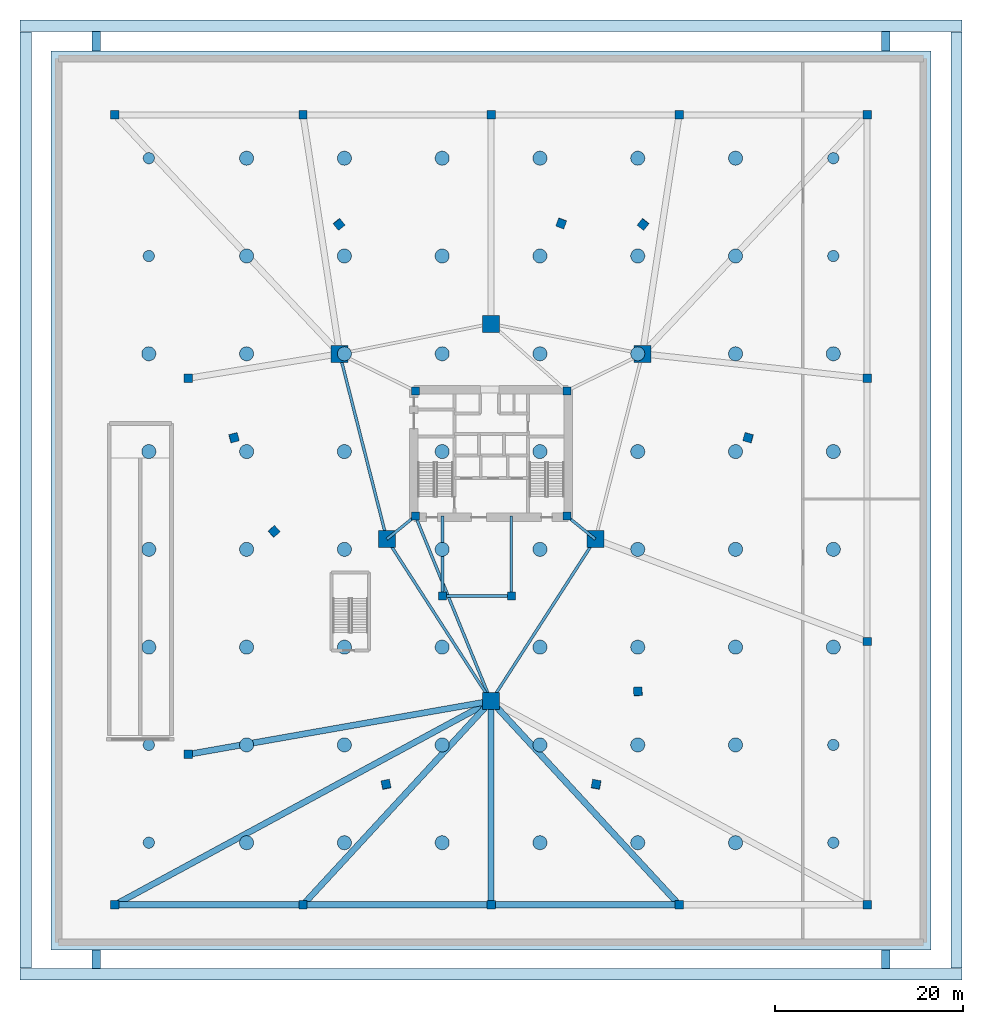
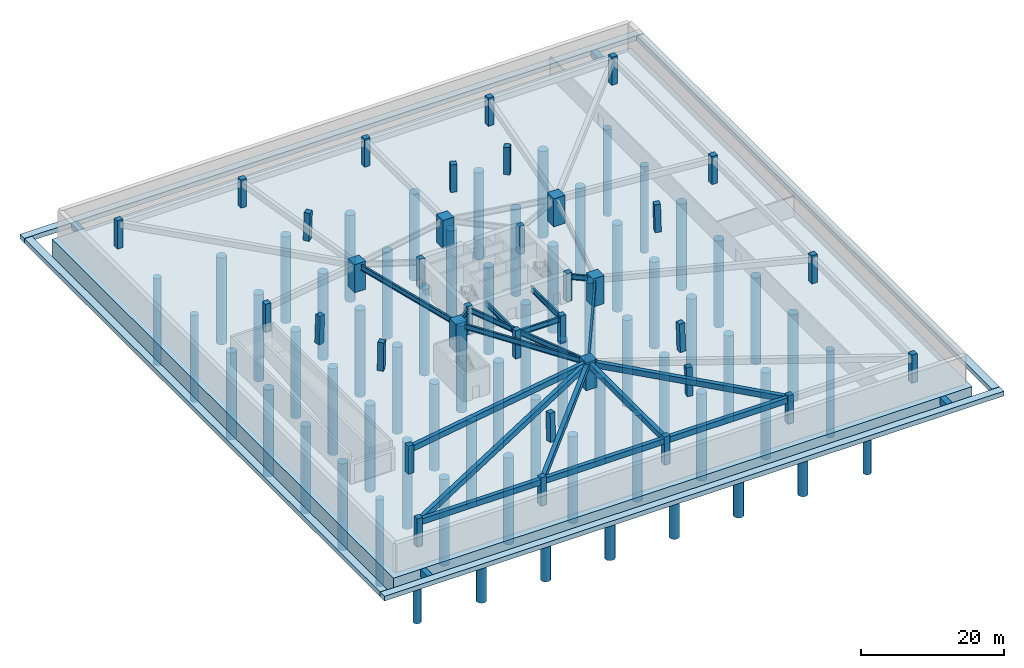
# One storey, part 1 of 5: 64 piles, 35 columns, 17 beams, 9 footings.
"""IFC4 building model written with IfcOpenShell, lengths in metres."""

from ifc_helpers import new_model, si_unit, direction, frame, origin, origin_2d, place, context, subcontext, project, spatial, polyline, rectangle, circle, i_section, outline, extrude, material, layer, layer_set, material_profile, profile_set, type_object, element, save


model = new_model("IFC4")

# Units and contexts
model_context = context("Model", 3, precision=1e-05, world=origin(), true_north=direction((0.0, 1.0)))
body_context = subcontext(model_context, "Body", "Model", "MODEL_VIEW")
ifc_project = project(units=[si_unit("LENGTHUNIT", "METRE"), si_unit("AREAUNIT", "SQUARE_METRE"), si_unit("VOLUMEUNIT", "CUBIC_METRE"), si_unit("PLANEANGLEUNIT", "RADIAN"), si_unit("MASSUNIT", "GRAM", prefix="KILO")], contexts=[model_context])

# Site, building, storey
site_placement = place(None, origin())
site = spatial("IfcSite", under=ifc_project, at=site_placement, CompositionType="ELEMENT")
building_placement = place(site_placement, origin())
building = spatial("IfcBuilding", under=site, at=building_placement, Name="Talyreon Biosciences Tower", CompositionType="ELEMENT")
storey_placement = place(building_placement, frame((0.0, 0.0, -9.60009765625)))
storey = spatial("IfcBuildingStorey", under=building, at=storey_placement, Name="B2", CompositionType="ELEMENT", Elevation=-9.60009765625)

# Piles
ifc_material_1 = material(Name="Concrete C50/60", Category="concrete")
ifc_material_profile_1 = material_profile(ifc_material_1, circle(Radius=0.60009765625, at=origin_2d()), Name="PILE D1200")
ifc_profile_set_1 = profile_set([ifc_material_profile_1], Name="Concrete C50/60")
pile_type_1 = type_object("IfcPileType", Name="BoredPile_1200", PredefinedType="BORED", material=ifc_profile_set_1)
for number, where, z_axis, x_axis, name in (
    (1, (29.60009765625, 26.60009765625, -3.5498046875), (0.0, 0.0, -1.0), (1.0, 0.0, 0.0), "Rock-socketed bored pile 01"),
    (2, (29.60009765625, 37.0, -3.5498046875), (0.0, 0.0, -1.0), (1.0, 0.0, 0.0), "Rock-socketed bored pile 02"),
    (3, (29.60009765625, 89.0, -3.5498046875), (0.0, 0.0, -1.0), (1.0, 0.0, 0.0), "Rock-socketed bored pile 07"),
    (4, (29.60009765625, 99.39990234375, -3.5498046875), (0.0, 0.0, -1.0), (1.0, 0.0, 0.0), "Rock-socketed bored pile 08"),
    (5, (102.39990234375, 26.60009765625, -3.5498046875), (0.0, 0.0, -1.0), (1.0, 0.0, 0.0), "Rock-socketed bored pile 57"),
    (6, (102.39990234375, 37.0, -3.5498046875), (0.0, 0.0, -1.0), (1.0, 0.0, 0.0), "Rock-socketed bored pile 58"),
    (7, (102.39990234375, 89.0, -3.5498046875), (0.0, 0.0, -1.0), (1.0, 0.0, 0.0), "Rock-socketed bored pile 63"),
    (8, (102.39990234375, 99.39990234375, -3.5498046875), (0.0, 0.0, -1.0), (1.0, 0.0, 0.0), "Rock-socketed bored pile 64"),
):
    element("IfcPile", number, at=place(storey_placement, frame(where, z_axis=z_axis, x_axis=x_axis)), inside=storey, type_object=pile_type_1, Name=name, PredefinedType="BORED", context=body_context, shape_type="SweptSolid", body=[
        extrude(circle(Radius=0.60009765625, at=origin_2d()), origin(), (0.0, 0.0, 1.0), 14.85009765625),
    ])
ifc_material_profile_2 = material_profile(ifc_material_1, circle(Radius=0.75, at=origin_2d()), Name="PILE D1500")
ifc_profile_set_2 = profile_set([ifc_material_profile_2], Name="Concrete C50/60")
pile_type_2 = type_object("IfcPileType", Name="BoredPile_1500", PredefinedType="BORED", material=ifc_profile_set_2)
for number, where, z_axis, x_axis, name in (
    (9, (29.60009765625, 47.39990234375, -3.5498046875), (0.0, 0.0, -1.0), (1.0, 0.0, 0.0), "Rock-socketed bored pile 03"),
    (10, (29.60009765625, 57.800048828125, -3.5498046875), (0.0, 0.0, -1.0), (1.0, 0.0, 0.0), "Rock-socketed bored pile 04"),
    (11, (29.60009765625, 68.199951171875, -3.5498046875), (0.0, 0.0, -1.0), (1.0, 0.0, 0.0), "Rock-socketed bored pile 05"),
    (12, (29.60009765625, 78.60009765625, -3.5498046875), (0.0, 0.0, -1.0), (1.0, 0.0, 0.0), "Rock-socketed bored pile 06"),
    (13, (40.0, 26.60009765625, -3.5498046875), (0.0, 0.0, -1.0), (1.0, 0.0, 0.0), "Rock-socketed bored pile 09"),
    (14, (40.0, 37.0, -3.5498046875), (0.0, 0.0, -1.0), (1.0, 0.0, 0.0), "Rock-socketed bored pile 10"),
    (15, (40.0, 47.39990234375, -3.5498046875), (0.0, 0.0, -1.0), (1.0, 0.0, 0.0), "Rock-socketed bored pile 11"),
    (16, (40.0, 57.800048828125, -3.5498046875), (0.0, 0.0, -1.0), (1.0, 0.0, 0.0), "Rock-socketed bored pile 12"),
    (17, (40.0, 68.199951171875, -3.5498046875), (0.0, 0.0, -1.0), (1.0, 0.0, 0.0), "Rock-socketed bored pile 13"),
    (18, (40.0, 78.60009765625, -3.5498046875), (0.0, 0.0, -1.0), (1.0, 0.0, 0.0), "Rock-socketed bored pile 14"),
    (19, (40.0, 89.0, -3.5498046875), (0.0, 0.0, -1.0), (1.0, 0.0, 0.0), "Rock-socketed bored pile 15"),
    (20, (40.0, 99.39990234375, -3.5498046875), (0.0, 0.0, -1.0), (1.0, 0.0, 0.0), "Rock-socketed bored pile 16"),
    (21, (50.39990234375, 26.60009765625, -3.5498046875), (0.0, 0.0, -1.0), (1.0, 0.0, 0.0), "Rock-socketed bored pile 17"),
    (22, (50.39990234375, 37.0, -3.5498046875), (0.0, 0.0, -1.0), (1.0, 0.0, 0.0), "Rock-socketed bored pile 18"),
    (23, (50.39990234375, 47.39990234375, -3.5498046875), (0.0, 0.0, -1.0), (1.0, 0.0, 0.0), "Rock-socketed bored pile 19"),
    (24, (50.39990234375, 57.800048828125, -3.5498046875), (0.0, 0.0, -1.0), (1.0, 0.0, 0.0), "Rock-socketed bored pile 20"),
    (25, (50.39990234375, 68.199951171875, -3.5498046875), (0.0, 0.0, -1.0), (1.0, 0.0, 0.0), "Rock-socketed bored pile 21"),
    (26, (50.39990234375, 78.60009765625, -3.5498046875), (0.0, 0.0, -1.0), (1.0, 0.0, 0.0), "Rock-socketed bored pile 22"),
    (27, (50.39990234375, 89.0, -3.5498046875), (0.0, 0.0, -1.0), (1.0, 0.0, 0.0), "Rock-socketed bored pile 23"),
    (28, (50.39990234375, 99.39990234375, -3.5498046875), (0.0, 0.0, -1.0), (1.0, 0.0, 0.0), "Rock-socketed bored pile 24"),
    (29, (60.800048828125, 26.60009765625, -3.5498046875), (0.0, 0.0, -1.0), (1.0, 0.0, 0.0), "Rock-socketed bored pile 25"),
    (30, (60.800048828125, 37.0, -3.5498046875), (0.0, 0.0, -1.0), (1.0, 0.0, 0.0), "Rock-socketed bored pile 26"),
    (31, (60.800048828125, 47.39990234375, -3.5498046875), (0.0, 0.0, -1.0), (1.0, 0.0, 0.0), "Rock-socketed bored pile 27"),
    (32, (60.800048828125, 57.800048828125, -3.5498046875), (0.0, 0.0, -1.0), (1.0, 0.0, 0.0), "Rock-socketed bored pile 28"),
    (33, (60.800048828125, 68.199951171875, -3.5498046875), (0.0, 0.0, -1.0), (1.0, 0.0, 0.0), "Rock-socketed bored pile 29"),
    (34, (60.800048828125, 78.60009765625, -3.5498046875), (0.0, 0.0, -1.0), (1.0, 0.0, 0.0), "Rock-socketed bored pile 30"),
    (35, (60.800048828125, 89.0, -3.5498046875), (0.0, 0.0, -1.0), (1.0, 0.0, 0.0), "Rock-socketed bored pile 31"),
    (36, (60.800048828125, 99.39990234375, -3.5498046875), (0.0, 0.0, -1.0), (1.0, 0.0, 0.0), "Rock-socketed bored pile 32"),
    (37, (71.199951171875, 26.60009765625, -3.5498046875), (0.0, 0.0, -1.0), (1.0, 0.0, 0.0), "Rock-socketed bored pile 33"),
    (38, (71.199951171875, 37.0, -3.5498046875), (0.0, 0.0, -1.0), (1.0, 0.0, 0.0), "Rock-socketed bored pile 34"),
    (39, (71.199951171875, 47.39990234375, -3.5498046875), (0.0, 0.0, -1.0), (1.0, 0.0, 0.0), "Rock-socketed bored pile 35"),
    (40, (71.199951171875, 57.800048828125, -3.5498046875), (0.0, 0.0, -1.0), (1.0, 0.0, 0.0), "Rock-socketed bored pile 36"),
    (41, (71.199951171875, 68.199951171875, -3.5498046875), (0.0, 0.0, -1.0), (1.0, 0.0, 0.0), "Rock-socketed bored pile 37"),
    (42, (71.199951171875, 78.60009765625, -3.5498046875), (0.0, 0.0, -1.0), (1.0, 0.0, 0.0), "Rock-socketed bored pile 38"),
    (43, (71.199951171875, 89.0, -3.5498046875), (0.0, 0.0, -1.0), (1.0, 0.0, 0.0), "Rock-socketed bored pile 39"),
    (44, (71.199951171875, 99.39990234375, -3.5498046875), (0.0, 0.0, -1.0), (1.0, 0.0, 0.0), "Rock-socketed bored pile 40"),
    (45, (81.60009765625, 26.60009765625, -3.5498046875), (0.0, 0.0, -1.0), (1.0, 0.0, 0.0), "Rock-socketed bored pile 41"),
    (46, (81.60009765625, 37.0, -3.5498046875), (0.0, 0.0, -1.0), (1.0, 0.0, 0.0), "Rock-socketed bored pile 42"),
    (47, (81.60009765625, 47.39990234375, -3.5498046875), (0.0, 0.0, -1.0), (1.0, 0.0, 0.0), "Rock-socketed bored pile 43"),
    (48, (81.60009765625, 57.800048828125, -3.5498046875), (0.0, 0.0, -1.0), (1.0, 0.0, 0.0), "Rock-socketed bored pile 44"),
    (49, (81.60009765625, 68.199951171875, -3.5498046875), (0.0, 0.0, -1.0), (1.0, 0.0, 0.0), "Rock-socketed bored pile 45"),
    (50, (81.60009765625, 78.60009765625, -3.5498046875), (0.0, 0.0, -1.0), (1.0, 0.0, 0.0), "Rock-socketed bored pile 46"),
    (51, (81.60009765625, 89.0, -3.5498046875), (0.0, 0.0, -1.0), (1.0, 0.0, 0.0), "Rock-socketed bored pile 47"),
    (52, (81.60009765625, 99.39990234375, -3.5498046875), (0.0, 0.0, -1.0), (1.0, 0.0, 0.0), "Rock-socketed bored pile 48"),
    (53, (92.0, 26.60009765625, -3.5498046875), (0.0, 0.0, -1.0), (1.0, 0.0, 0.0), "Rock-socketed bored pile 49"),
    (54, (92.0, 37.0, -3.5498046875), (0.0, 0.0, -1.0), (1.0, 0.0, 0.0), "Rock-socketed bored pile 50"),
    (55, (92.0, 47.39990234375, -3.5498046875), (0.0, 0.0, -1.0), (1.0, 0.0, 0.0), "Rock-socketed bored pile 51"),
    (56, (92.0, 57.800048828125, -3.5498046875), (0.0, 0.0, -1.0), (1.0, 0.0, 0.0), "Rock-socketed bored pile 52"),
    (57, (92.0, 68.199951171875, -3.5498046875), (0.0, 0.0, -1.0), (1.0, 0.0, 0.0), "Rock-socketed bored pile 53"),
    (58, (92.0, 78.60009765625, -3.5498046875), (0.0, 0.0, -1.0), (1.0, 0.0, 0.0), "Rock-socketed bored pile 54"),
    (59, (92.0, 89.0, -3.5498046875), (0.0, 0.0, -1.0), (1.0, 0.0, 0.0), "Rock-socketed bored pile 55"),
    (60, (92.0, 99.39990234375, -3.5498046875), (0.0, 0.0, -1.0), (1.0, 0.0, 0.0), "Rock-socketed bored pile 56"),
    (61, (102.39990234375, 47.39990234375, -3.5498046875), (0.0, 0.0, -1.0), (1.0, 0.0, 0.0), "Rock-socketed bored pile 59"),
    (62, (102.39990234375, 57.800048828125, -3.5498046875), (0.0, 0.0, -1.0), (1.0, 0.0, 0.0), "Rock-socketed bored pile 60"),
    (63, (102.39990234375, 68.199951171875, -3.5498046875), (0.0, 0.0, -1.0), (1.0, 0.0, 0.0), "Rock-socketed bored pile 61"),
    (64, (102.39990234375, 78.60009765625, -3.5498046875), (0.0, 0.0, -1.0), (1.0, 0.0, 0.0), "Rock-socketed bored pile 62"),
):
    element("IfcPile", number, at=place(storey_placement, frame(where, z_axis=z_axis, x_axis=x_axis)), inside=storey, type_object=pile_type_2, Name=name, PredefinedType="BORED", context=body_context, shape_type="SweptSolid", body=[
        extrude(circle(Radius=0.75, at=origin_2d()), origin(), (0.0, 0.0, 1.0), 14.85009765625),
    ])

# Footings
ifc_material_profile_3 = material_profile(ifc_material_1, rectangle(XDim=0.89990234375, YDim=1.199951171875, at=origin_2d()), Name="FB 900x1200")
ifc_profile_set_3 = profile_set([ifc_material_profile_3], Name="Concrete C50/60")
footing_type_1 = type_object("IfcFootingType", Name="FoundationTieBeam_900x1200", PredefinedType="FOOTING_BEAM", material=ifc_profile_set_3)
for number, where, z_axis, x_axis, name in (
    (65, (24.0, 13.215087890625, -1.0498046875), (0.0, 1.0, 0.0), (-1.0, 0.0, 0.0), "Foundation tie beam 01"),
    (66, (108.0, 13.215087890625, -1.0498046875), (0.0, 1.0, 0.0), (-1.0, 0.0, 0.0), "Foundation tie beam 02"),
):
    element("IfcFooting", number, at=place(storey_placement, frame(where, z_axis=z_axis, x_axis=x_axis)), inside=storey, type_object=footing_type_1, Name=name, PredefinedType="FOOTING_BEAM", context=body_context, shape_type="SweptSolid", body=[
        extrude(rectangle(XDim=0.89990234375, YDim=1.199951171875, at=origin_2d()), origin(), (0.0, 0.0, 1.0), 1.969970703125),
    ])
for number, where, z_axis, x_axis, name in (
    (67, (108.0, 110.81494140625, -1.0498046875), (0.0, 1.0, 0.0), (-1.0, 0.0, 0.0), "Foundation tie beam 03"),
    (68, (24.0, 110.81494140625, -1.0498046875), (0.0, 1.0, 0.0), (-1.0, 0.0, 0.0), "Foundation tie beam 04"),
):
    element("IfcFooting", number, at=place(storey_placement, frame(where, z_axis=z_axis, x_axis=x_axis)), inside=storey, type_object=footing_type_1, Name=name, PredefinedType="FOOTING_BEAM", context=body_context, shape_type="SweptSolid", body=[
        extrude(rectangle(XDim=0.89990234375, YDim=1.199951171875, at=origin_2d()), origin(), (0.0, 0.0, 1.0), 2.070068359375),
    ])
ifc_layer = layer(ifc_material_1, 3.199951171875)
ifc_layer_set = layer_set([ifc_layer], Name="Concrete C50/60")
footing_type_2 = type_object("IfcFootingType", Name="PiledRaft_3200", PredefinedType="PILE_CAP", material=ifc_layer_set)
footing_1_placement = place(storey_placement, frame((0.0, 0.0, -3.64990234375)))
element("IfcFooting", 69, at=footing_1_placement, inside=storey, type_object=footing_type_2, Name="B2 Piled Raft Foundation RF1", PredefinedType="PILE_CAP", context=body_context, shape_type="SweptSolid", body=[
    extrude(outline(polyline([(19.199951171875, 15.199951171875), (112.800048828125, 15.199951171875), (112.800048828125, 110.800048828125), (19.199951171875, 110.800048828125), (19.199951171875, 15.199951171875)])), origin(), (0.0, 0.0, 1.0), 3.199951171875),
])
ifc_material_profile_4 = material_profile(ifc_material_1, rectangle(XDim=1.199951171875, YDim=0.800048828125, at=origin_2d()), Name="SF 1200x800")
ifc_profile_set_4 = profile_set([ifc_material_profile_4], Name="Concrete C50/60")
footing_type_3 = type_object("IfcFootingType", Name="RampStripFooting_1200x800", PredefinedType="STRIP_FOOTING", material=ifc_profile_set_4)
footing_2_placement = place(storey_placement, frame((15.89990234375, 12.60009765625, -0.849853515625), z_axis=(1.0, 0.0, 0.0), x_axis=(0.0, 1.0, 0.0)))
element("IfcFooting", 70, at=footing_2_placement, inside=storey, type_object=footing_type_3, Name="Plaza apron strip footing 01", PredefinedType="STRIP_FOOTING", context=body_context, shape_type="SweptSolid", body=[
    extrude(rectangle(XDim=1.199951171875, YDim=0.800048828125, at=origin_2d()), origin(), (0.0, 0.0, 1.0), 100.2001953125),
])
footing_3_placement = place(storey_placement, frame((115.5, 13.25, -0.849853515625), z_axis=(0.0, 1.0, 0.0), x_axis=(-1.0, 0.0, 0.0)))
element("IfcFooting", 71, at=footing_3_placement, inside=storey, type_object=footing_type_3, Name="Plaza apron strip footing 02", PredefinedType="STRIP_FOOTING", context=body_context, shape_type="SweptSolid", body=[
    extrude(rectangle(XDim=1.199951171875, YDim=0.800048828125, at=origin_2d()), origin(), (0.0, 0.0, 1.0), 99.60009765625),
])
footing_4_placement = place(storey_placement, frame((116.10009765625, 113.5, -0.849853515625), z_axis=(-1.0, 0.0, 0.0), x_axis=(0.0, -1.0, 0.0)))
element("IfcFooting", 72, at=footing_4_placement, inside=storey, type_object=footing_type_3, Name="Plaza apron strip footing 03", PredefinedType="STRIP_FOOTING", context=body_context, shape_type="SweptSolid", body=[
    extrude(rectangle(XDim=1.199951171875, YDim=0.800048828125, at=origin_2d()), origin(), (0.0, 0.0, 1.0), 100.2001953125),
])
footing_5_placement = place(storey_placement, frame((16.5, 112.85009765625, -0.849853515625), z_axis=(0.0, -1.0, 0.0), x_axis=(1.0, 0.0, 0.0)))
element("IfcFooting", 73, at=footing_5_placement, inside=storey, type_object=footing_type_3, Name="Plaza apron strip footing 04", PredefinedType="STRIP_FOOTING", context=body_context, shape_type="SweptSolid", body=[
    extrude(rectangle(XDim=1.199951171875, YDim=0.800048828125, at=origin_2d()), origin(), (0.0, 0.0, 1.0), 99.60009765625),
])

# Columns
ifc_material_profile_5 = material_profile(ifc_material_1, rectangle(XDim=0.89990234375, YDim=0.89990234375, at=origin_2d()), Name="RC 900x900")
ifc_profile_set_5 = profile_set([ifc_material_profile_5], Name="Concrete C50/60")
column_type_1 = type_object("IfcColumnType", Name="BasementColumn_900", PredefinedType="COLUMN", material=ifc_profile_set_5)
for number, where, z_axis, x_axis, name in (
    (74, (26.0, 20.0, 0.0), (0.0, 0.0, 1.0), (1.0, 0.0, 0.0), "B2 Podium Pilotis Column PDC01"),
    (75, (46.0, 20.0, 0.0), (0.0, 0.0, 1.0), (1.0, 0.0, 0.0), "B2 Podium Pilotis Column PDC02"),
    (76, (66.0, 20.0, 0.0), (0.0, 0.0, 1.0), (1.0, 0.0, 0.0), "B2 Podium Pilotis Column PDC03"),
    (77, (86.0, 20.0, 0.0), (0.0, 0.0, 1.0), (1.0, 0.0, 0.0), "B2 Podium Pilotis Column PDC04"),
    (78, (106.0, 20.0, 0.0), (0.0, 0.0, 1.0), (1.0, 0.0, 0.0), "B2 Podium Pilotis Column PDC05"),
    (79, (106.0, 48.0, 0.0), (0.0, 0.0, 1.0), (1.0, 0.0, 0.0), "B2 Podium Pilotis Column PDC06"),
    (80, (106.0, 76.0, 0.0), (0.0, 0.0, 1.0), (1.0, 0.0, 0.0), "B2 Podium Pilotis Column PDC07"),
    (81, (106.0, 104.0, 0.0), (0.0, 0.0, 1.0), (1.0, 0.0, 0.0), "B2 Podium Pilotis Column PDC08"),
    (82, (86.0, 104.0, 0.0), (0.0, 0.0, 1.0), (1.0, 0.0, 0.0), "B2 Podium Pilotis Column PDC09"),
    (83, (66.0, 104.0, 0.0), (0.0, 0.0, 1.0), (1.0, 0.0, 0.0), "B2 Podium Pilotis Column PDC10"),
    (84, (46.0, 104.0, 0.0), (0.0, 0.0, 1.0), (1.0, 0.0, 0.0), "B2 Podium Pilotis Column PDC11"),
    (85, (26.0, 104.0, 0.0), (0.0, 0.0, 1.0), (1.0, 0.0, 0.0), "B2 Podium Pilotis Column PDC12"),
    (86, (33.800048828125, 76.0, 0.0), (0.0, 0.0, 1.0), (1.0, 0.0, 0.0), "B2 Podium Pilotis Column PDC13"),
    (87, (33.800048828125, 36.0, 0.0), (0.0, 0.0, 1.0), (1.0, 0.0, 0.0), "B2 Podium Pilotis Column PDC14"),
):
    element("IfcColumn", number, at=place(storey_placement, frame(where, z_axis=z_axis, x_axis=x_axis)), inside=storey, type_object=column_type_1, Name=name, PredefinedType="COLUMN", context=body_context, shape_type="SweptSolid", body=[
        extrude(rectangle(XDim=0.89990234375, YDim=0.89990234375, at=origin_2d()), origin(), (0.0, 0.0, 1.0), 4.800048828125),
    ])
column_1_placement = place(storey_placement, frame((77.177490234375, 32.77978515625, 0.0), z_axis=(-0.00940675237, 0.04138971043, 0.999098796356), x_axis=(-0.188879591989, -0.98123062239, 0.038871138588)))
element("IfcColumn", 88, at=column_1_placement, inside=storey, type_object=column_type_1, Name="B2 Tapering Perimeter Column PC-SE1", PredefinedType="COLUMN", context=body_context, shape_type="SweptSolid", body=[
    extrude(rectangle(XDim=0.89990234375, YDim=0.89990234375, at=origin_2d()), origin(), (0.0, 0.0, 1.0), 4.801513671875),
])
column_2_placement = place(storey_placement, frame((81.625732421875, 42.67333984375, 0.0), z_axis=(-0.014903730444, 0.029095337248, 0.999465527254), x_axis=(0.05981911364, -0.997760195573, 0.029937698212)))
element("IfcColumn", 89, at=column_2_placement, inside=storey, type_object=column_type_1, Name="B2 Tapering Perimeter Column PL-SE", PredefinedType="COLUMN", context=body_context, shape_type="SweptSolid", body=[
    extrude(rectangle(XDim=0.89990234375, YDim=0.89990234375, at=origin_2d()), origin(), (0.0, 0.0, 1.0), 4.7998046875),
])
column_3_placement = place(storey_placement, frame((93.359619140625, 69.676513671875, 0.0), z_axis=(-0.029860692617, -0.004323950379, 0.999544717604), x_axis=(0.963489667544, -0.266315902772, 0.027631512195)))
element("IfcColumn", 90, at=column_3_placement, inside=storey, type_object=column_type_1, Name="B2 Tapering Perimeter Column PC-SE2", PredefinedType="COLUMN", context=body_context, shape_type="SweptSolid", body=[
    extrude(rectangle(XDim=0.89990234375, YDim=0.89990234375, at=origin_2d()), origin(), (0.0, 0.0, 1.0), 4.79931640625),
])
column_4_placement = place(storey_placement, frame((82.181884765625, 92.38232421875, 0.0), z_axis=(-0.020397288141, -0.025483893663, 0.999467118919), x_axis=(-0.780716755404, 0.624885067698, 0.0)))
element("IfcColumn", 91, at=column_4_placement, inside=storey, type_object=column_type_1, Name="B2 Tapering Perimeter Column PC-N1", PredefinedType="COLUMN", context=body_context, shape_type="SweptSolid", body=[
    extrude(rectangle(XDim=0.89990234375, YDim=0.89990234375, at=origin_2d()), origin(), (0.0, 0.0, 1.0), 4.799560546875),
])
column_5_placement = place(storey_placement, frame((73.468505859375, 92.482421875, 0.0), z_axis=(-0.009411761503, -0.025488067639, 0.99963082043), x_axis=(-0.9380871136, 0.346399433166, 0.0)))
element("IfcColumn", 92, at=column_5_placement, inside=storey, type_object=column_type_1, Name="B2 Tapering Perimeter Column PL-N", PredefinedType="COLUMN", context=body_context, shape_type="SweptSolid", body=[
    extrude(rectangle(XDim=0.89990234375, YDim=0.89990234375, at=origin_2d()), origin(), (0.0, 0.0, 1.0), 4.798828125),
])
column_6_placement = place(storey_placement, frame((49.818115234375, 92.38232421875, 0.0), z_axis=(0.020397288141, -0.025483893663, 0.999467118919), x_axis=(-0.780716755404, -0.624885067698, 0.0)))
element("IfcColumn", 93, at=column_6_placement, inside=storey, type_object=column_type_1, Name="B2 Tapering Perimeter Column PC-N2", PredefinedType="COLUMN", context=body_context, shape_type="SweptSolid", body=[
    extrude(rectangle(XDim=0.89990234375, YDim=0.89990234375, at=origin_2d()), origin(), (0.0, 0.0, 1.0), 4.799560546875),
])
column_7_placement = place(storey_placement, frame((38.640380859375, 69.676513671875, 0.0), z_axis=(0.029860692617, -0.004323950379, 0.999544717604), x_axis=(0.963489667544, 0.266315902772, -0.027631512195)))
element("IfcColumn", 94, at=column_7_placement, inside=storey, type_object=column_type_1, Name="B2 Tapering Perimeter Column PC-SW1", PredefinedType="COLUMN", context=body_context, shape_type="SweptSolid", body=[
    extrude(rectangle(XDim=0.89990234375, YDim=0.89990234375, at=origin_2d()), origin(), (0.0, 0.0, 1.0), 4.79931640625),
])
column_8_placement = place(storey_placement, frame((42.905517578125, 59.70263671875, 0.0), z_axis=(0.024318966776, 0.007987610426, 0.999672339287), x_axis=(0.744447515208, 0.667269346555, -0.023441762923)))
element("IfcColumn", 95, at=column_8_placement, inside=storey, type_object=column_type_1, Name="B2 Tapering Perimeter Column PL-SW", PredefinedType="COLUMN", context=body_context, shape_type="SweptSolid", body=[
    extrude(rectangle(XDim=0.89990234375, YDim=0.89990234375, at=origin_2d()), origin(), (0.0, 0.0, 1.0), 4.798583984375),
])
column_9_placement = place(storey_placement, frame((54.822509765625, 32.77978515625, 0.0), z_axis=(0.00940675237, 0.04138971043, 0.999098796356), x_axis=(-0.188879591989, 0.98123062239, -0.038871138588)))
element("IfcColumn", 96, at=column_9_placement, inside=storey, type_object=column_type_1, Name="B2 Tapering Perimeter Column PC-SW2", PredefinedType="COLUMN", context=body_context, shape_type="SweptSolid", body=[
    extrude(rectangle(XDim=0.89990234375, YDim=0.89990234375, at=origin_2d()), origin(), (0.0, 0.0, 1.0), 4.801513671875),
])
ifc_material_2 = material(Name="Concrete C60/75", Category="concrete")
ifc_material_profile_6 = material_profile(ifc_material_2, rectangle(XDim=1.800048828125, YDim=1.800048828125, at=origin_2d()), Name="RC 1800x1800")
ifc_profile_set_6 = profile_set([ifc_material_profile_6], Name="Concrete C60/75")
column_type_2 = type_object("IfcColumnType", Name="MegaColumn_1800", PredefinedType="COLUMN", material=ifc_profile_set_6)
for number, where, z_axis, x_axis, name in (
    (97, (66.0, 41.6669921875, 0.0), (0.0, 0.0, 1.0), (1.0, 0.0, 0.0), "B2 Composite Mega-Column MC1"),
    (98, (82.102294921875, 78.5986328125, 0.0), (0.0, 0.0, 1.0), (1.0, 0.0, 0.0), "B2 Composite Mega-Column MC2"),
    (99, (49.897705078125, 78.5986328125, 0.0), (0.0, 0.0, 1.0), (1.0, 0.0, 0.0), "B2 Composite Mega-Column MC3"),
    (100, (77.086181640625, 58.88037109375, 0.0), (0.0, 0.0, 1.0), (1.0, 0.0, 0.0), "B2 Composite Mega-Column MC4"),
    (101, (66.0, 81.788818359375, 0.0), (0.0, 0.0, 1.0), (1.0, 0.0, 0.0), "B2 Composite Mega-Column MC5"),
    (102, (54.913818359375, 58.88037109375, 0.0), (0.0, 0.0, 1.0), (1.0, 0.0, 0.0), "B2 Composite Mega-Column MC6"),
):
    element("IfcColumn", number, at=place(storey_placement, frame(where, z_axis=z_axis, x_axis=x_axis)), inside=storey, type_object=column_type_2, Name=name, PredefinedType="COLUMN", context=body_context, shape_type="SweptSolid", body=[
        extrude(rectangle(XDim=1.800048828125, YDim=1.800048828125, at=origin_2d()), origin(), (0.0, 0.0, 1.0), 4.800048828125),
    ])
ifc_material_profile_7 = material_profile(ifc_material_2, rectangle(XDim=0.85009765625, YDim=0.85009765625, at=origin_2d()), Name="RC 850x850")
ifc_profile_set_7 = profile_set([ifc_material_profile_7], Name="Concrete C60/75")
column_type_3 = type_object("IfcColumnType", Name="PerimeterColumn_850", PredefinedType="COLUMN", material=ifc_profile_set_7)
for number, where, z_axis, x_axis, name in (
    (103, (57.949951171875, 61.35009765625, 0.0), (0.0, 0.0, 1.0), (1.0, 0.0, 0.0), "B2 Core Column CC1"),
    (104, (74.050048828125, 61.35009765625, 0.0), (0.0, 0.0, 1.0), (1.0, 0.0, 0.0), "B2 Core Column CC2"),
    (105, (74.050048828125, 74.64990234375, 0.0), (0.0, 0.0, 1.0), (1.0, 0.0, 0.0), "B2 Core Column CC3"),
    (106, (57.949951171875, 74.64990234375, 0.0), (0.0, 0.0, 1.0), (1.0, 0.0, 0.0), "B2 Core Column CC4"),
    (107, (60.85009765625, 52.840087890625, 0.0), (0.0, 0.0, 1.0), (1.0, 0.0, 0.0), "B2 Core Column CSW"),
    (108, (68.14990234375, 52.840087890625, 0.0), (0.0, 0.0, 1.0), (1.0, 0.0, 0.0), "B2 Core Column CSE"),
):
    element("IfcColumn", number, at=place(storey_placement, frame(where, z_axis=z_axis, x_axis=x_axis)), inside=storey, type_object=column_type_3, Name=name, PredefinedType="COLUMN", context=body_context, shape_type="SweptSolid", body=[
        extrude(rectangle(XDim=0.85009765625, YDim=0.85009765625, at=origin_2d()), origin(), (0.0, 0.0, 1.0), 4.800048828125),
    ])

# Beams
ifc_material_profile_8 = material_profile(ifc_material_1, rectangle(XDim=0.64990234375, YDim=0.949951171875, at=origin_2d()), Name="RCB 650x950")
ifc_profile_set_8 = profile_set([ifc_material_profile_8], Name="Concrete C50/60")
beam_type_1 = type_object("IfcBeamType", Name="PodiumGirder_650x950", PredefinedType="T_BEAM", material=ifc_profile_set_8)
for number, where, z_axis, x_axis, name in (
    (109, (26.0, 20.0, 3.97509765625), (1.0, 0.0, 0.0), (0.0, 1.0, 0.0), "B2 Podium Perimeter Ring Girder 01"),
    (110, (46.0, 20.0, 3.97509765625), (1.0, 0.0, 0.0), (0.0, 1.0, 0.0), "B2 Podium Perimeter Ring Girder 02"),
    (111, (66.0, 20.0, 3.97509765625), (1.0, 0.0, 0.0), (0.0, 1.0, 0.0), "B2 Podium Perimeter Ring Girder 03"),
):
    element("IfcBeam", number, at=place(storey_placement, frame(where, z_axis=z_axis, x_axis=x_axis)), inside=storey, type_object=beam_type_1, Name=name, PredefinedType="T_BEAM", context=body_context, shape_type="SweptSolid", body=[
        extrude(rectangle(XDim=0.64990234375, YDim=0.949951171875, at=origin_2d()), origin(), (0.0, 0.0, 1.0), 20.0),
    ])
beam_1_placement = place(storey_placement, frame((66.0, 41.6669921875, 3.97509765625), z_axis=(-0.879288969782, -0.47628868097, 0.0), x_axis=(0.47628868097, -0.879288969782, 0.0)))
element("IfcBeam", 112, at=beam_1_placement, inside=storey, type_object=beam_type_1, Name="B2 Podium Radial Tie Girder PDC01", PredefinedType="T_BEAM", context=body_context, shape_type="SweptSolid", body=[
    extrude(rectangle(XDim=0.64990234375, YDim=0.949951171875, at=origin_2d()), origin(), (0.0, 0.0, 1.0), 45.4912109375),
])
beam_2_placement = place(storey_placement, frame((66.0, 41.6669921875, 3.97509765625), z_axis=(-0.678274600536, -0.73480852354, 0.0), x_axis=(0.73480852354, -0.678274600536, 0.0)))
element("IfcBeam", 113, at=beam_2_placement, inside=storey, type_object=beam_type_1, Name="B2 Podium Radial Tie Girder PDC02", PredefinedType="T_BEAM", context=body_context, shape_type="SweptSolid", body=[
    extrude(rectangle(XDim=0.64990234375, YDim=0.949951171875, at=origin_2d()), origin(), (0.0, 0.0, 1.0), 29.486572265625),
])
beam_3_placement = place(storey_placement, frame((66.0, 41.6669921875, 3.97509765625), z_axis=(0.0, -1.0, 0.0), x_axis=(1.0, 0.0, 0.0)))
element("IfcBeam", 114, at=beam_3_placement, inside=storey, type_object=beam_type_1, Name="B2 Podium Radial Tie Girder PDC03", PredefinedType="T_BEAM", context=body_context, shape_type="SweptSolid", body=[
    extrude(rectangle(XDim=0.64990234375, YDim=0.949951171875, at=origin_2d()), origin(), (0.0, 0.0, 1.0), 21.6669921875),
])
beam_4_placement = place(storey_placement, frame((66.0, 41.6669921875, 3.97509765625), z_axis=(0.678274600536, -0.73480852354, 0.0), x_axis=(0.73480852354, 0.678274600536, 0.0)))
element("IfcBeam", 115, at=beam_4_placement, inside=storey, type_object=beam_type_1, Name="B2 Podium Radial Tie Girder PDC04", PredefinedType="T_BEAM", context=body_context, shape_type="SweptSolid", body=[
    extrude(rectangle(XDim=0.64990234375, YDim=0.949951171875, at=origin_2d()), origin(), (0.0, 0.0, 1.0), 29.486572265625),
])
beam_5_placement = place(storey_placement, frame((66.0, 41.6669921875, 3.97509765625), z_axis=(-0.984863814232, -0.173329938024, 0.0), x_axis=(0.173329938024, -0.984863814232, 0.0)))
element("IfcBeam", 116, at=beam_5_placement, inside=storey, type_object=beam_type_1, Name="B2 Podium Radial Tie Girder PDC14", PredefinedType="T_BEAM", context=body_context, shape_type="SweptSolid", body=[
    extrude(rectangle(XDim=0.64990234375, YDim=0.949951171875, at=origin_2d()), origin(), (0.0, 0.0, 1.0), 32.69482421875),
])
ifc_material_3 = material(Name="Steel SM420", Category="steel")
ifc_material_profile_9 = material_profile(ifc_material_3, i_section(OverallWidth=0.300048828125, OverallDepth=0.89990234375, WebThickness=0.0185546875, FlangeThickness=0.034912109375, FilletRadius=0.030029296875, at=origin_2d()), Name="HE900B")
ifc_profile_set_9 = profile_set([ifc_material_profile_9], Name="Steel SM420")
beam_type_2 = type_object("IfcBeamType", Name="SteelGirder_HE900B", PredefinedType="BEAM", material=ifc_profile_set_9)
beam_6_placement = place(storey_placement, frame((66.0, 41.6669921875, 4.0), z_axis=(0.541463723609, 0.840724114092, 0.0), x_axis=(-0.840724114092, 0.541463723609, 0.0)))
element("IfcBeam", 117, at=beam_6_placement, inside=storey, type_object=beam_type_2, Name="B2 Mega-Ring Girder 1", PredefinedType="BEAM", context=body_context, shape_type="SweptSolid", body=[
    extrude(i_section(OverallWidth=0.300048828125, OverallDepth=0.89990234375, WebThickness=0.0185546875, FlangeThickness=0.034912109375, FilletRadius=0.030029296875, at=origin_2d()), origin(), (0.0, 0.0, 1.0), 20.474365234375),
])
beam_7_placement = place(storey_placement, frame((49.897705078125, 78.5986328125, 4.0), z_axis=(0.246537082299, -0.969133358755, 0.0), x_axis=(0.969133358755, 0.246537082299, 0.0)))
element("IfcBeam", 118, at=beam_7_placement, inside=storey, type_object=beam_type_2, Name="B2 Mega-Ring Girder 5", PredefinedType="BEAM", context=body_context, shape_type="SweptSolid", body=[
    extrude(i_section(OverallWidth=0.300048828125, OverallDepth=0.89990234375, WebThickness=0.0185546875, FlangeThickness=0.034912109375, FilletRadius=0.030029296875, at=origin_2d()), origin(), (0.0, 0.0, 1.0), 20.34619140625),
])
beam_8_placement = place(storey_placement, frame((54.913818359375, 58.88037109375, 4.0), z_axis=(0.541463723609, -0.840724114092, 0.0), x_axis=(0.840724114092, 0.541463723609, 0.0)))
element("IfcBeam", 119, at=beam_8_placement, inside=storey, type_object=beam_type_2, Name="B2 Mega-Ring Girder 6", PredefinedType="BEAM", context=body_context, shape_type="SweptSolid", body=[
    extrude(i_section(OverallWidth=0.300048828125, OverallDepth=0.89990234375, WebThickness=0.0185546875, FlangeThickness=0.034912109375, FilletRadius=0.030029296875, at=origin_2d()), origin(), (0.0, 0.0, 1.0), 20.474365234375),
])
beam_9_placement = place(storey_placement, frame((57.949951171875, 61.35009765625, 4.0), z_axis=(0.378547014545, -0.925582064314, 0.0), x_axis=(0.925582064314, 0.378547014545, 0.0)))
element("IfcBeam", 120, at=beam_9_placement, inside=storey, type_object=beam_type_2, Name="B2 Radial Primary Girder 1", PredefinedType="BEAM", context=body_context, shape_type="SweptSolid", body=[
    extrude(i_section(OverallWidth=0.300048828125, OverallDepth=0.89990234375, WebThickness=0.0185546875, FlangeThickness=0.034912109375, FilletRadius=0.030029296875, at=origin_2d()), origin(), (0.0, 0.0, 1.0), 21.265625),
])
for number, where, z_axis, x_axis, name in (
    (121, (74.050048828125, 61.35009765625, 4.0), (0.775755154013, -0.631034025249, 0.0), (0.631034025249, 0.775755154013, 0.0), "B2 Radial Primary Girder 2"),
    (122, (57.949951171875, 61.35009765625, 4.0), (-0.775755154013, -0.631034025249, 0.0), (0.631034025249, -0.775755154013, 0.0), "B2 Radial Primary Girder 6"),
):
    element("IfcBeam", number, at=place(storey_placement, frame(where, z_axis=z_axis, x_axis=x_axis)), inside=storey, type_object=beam_type_2, Name=name, PredefinedType="BEAM", context=body_context, shape_type="SweptSolid", body=[
        extrude(i_section(OverallWidth=0.300048828125, OverallDepth=0.89990234375, WebThickness=0.0185546875, FlangeThickness=0.034912109375, FilletRadius=0.030029296875, at=origin_2d()), origin(), (0.0, 0.0, 1.0), 3.913818359375),
    ])
beam_10_placement = place(storey_placement, frame((60.85009765625, 52.840087890625, 4.0), z_axis=(1.0, 0.0, 0.0), x_axis=(0.0, 1.0, 0.0)))
element("IfcBeam", 123, at=beam_10_placement, inside=storey, type_object=beam_type_2, Name="B2 Crown Shaft Spine Girder S", PredefinedType="BEAM", context=body_context, shape_type="SweptSolid", body=[
    extrude(i_section(OverallWidth=0.300048828125, OverallDepth=0.89990234375, WebThickness=0.0185546875, FlangeThickness=0.034912109375, FilletRadius=0.030029296875, at=origin_2d()), origin(), (0.0, 0.0, 1.0), 7.2998046875),
])
for number, where, z_axis, x_axis, name in (
    (124, (60.85009765625, 52.840087890625, 4.0), (0.0, 1.0, 0.0), (-1.0, 0.0, 0.0), "B2 Crown Shaft Tie Girder W"),
    (125, (68.14990234375, 52.840087890625, 4.0), (0.0, 1.0, 0.0), (-1.0, 0.0, 0.0), "B2 Crown Shaft Tie Girder E"),
):
    element("IfcBeam", number, at=place(storey_placement, frame(where, z_axis=z_axis, x_axis=x_axis)), inside=storey, type_object=beam_type_2, Name=name, PredefinedType="BEAM", context=body_context, shape_type="SweptSolid", body=[
        extrude(i_section(OverallWidth=0.300048828125, OverallDepth=0.89990234375, WebThickness=0.0185546875, FlangeThickness=0.034912109375, FilletRadius=0.030029296875, at=origin_2d()), origin(), (0.0, 0.0, 1.0), 8.510009765625),
    ])

save(model, "model.ifc")
